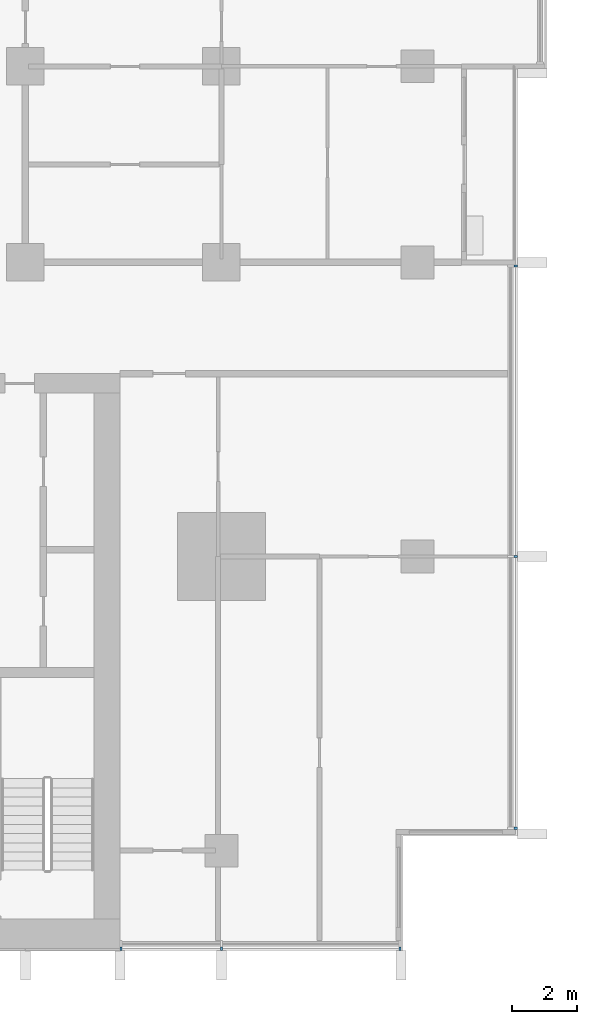
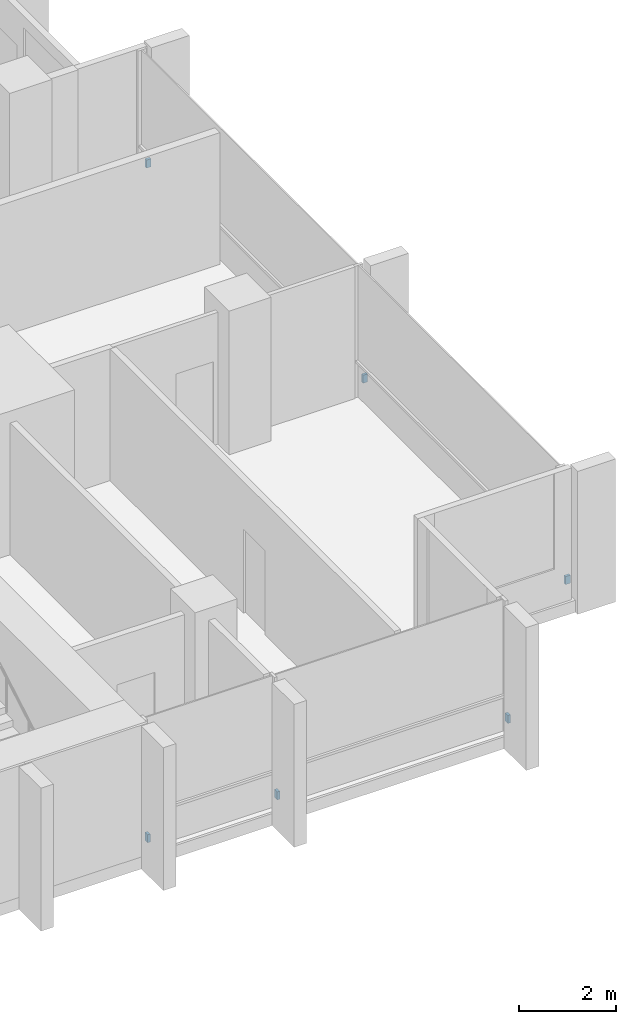
# One storey, part 15 of 18: 6 discrete accessories.
"""IFC4 building model written with IfcOpenShell, lengths in metres."""

from ifc_helpers import new_model, si_unit, direction, frame, origin, origin_2d, place, context, subcontext, project, spatial, rectangle, extrude, material, type_object, element, save


model = new_model("IFC4")

# Units and contexts
model_context = context("Model", 3, precision=1e-05, world=origin(), true_north=direction((0.0, 1.0)))
body_context = subcontext(model_context, "Body", "Model", "MODEL_VIEW")
ifc_project = project(units=[si_unit("LENGTHUNIT", "METRE"), si_unit("AREAUNIT", "SQUARE_METRE"), si_unit("VOLUMEUNIT", "CUBIC_METRE"), si_unit("PLANEANGLEUNIT", "RADIAN"), si_unit("MASSUNIT", "GRAM", prefix="KILO")], contexts=[model_context])

# Site, building, storey
site_placement = place(None, origin())
site = spatial("IfcSite", under=ifc_project, at=site_placement, CompositionType="ELEMENT")
building_placement = place(site_placement, origin())
building = spatial("IfcBuilding", under=site, at=building_placement, Name="Finial Court Residences", CompositionType="ELEMENT")
storey_placement = place(building_placement, frame((0.0, 0.0, 106.300048828125)))
storey = spatial("IfcBuildingStorey", under=building, at=storey_placement, Name="L26", CompositionType="ELEMENT", Elevation=106.300048828125)

# Discrete accessories
ifc_material = material(Name="Stainless steel 316", Category="steel")
discrete_accessory_type = type_object("IfcDiscreteAccessoryType", Name="Fin bracket, stainless steel 65 x 110 x 200", PredefinedType="BRACKET", material=ifc_material)
for number, where, z_axis, x_axis, name in (
    (1, (25.5048828125, -21.8173828125, 0.2998046875), (0.0, 0.0, 1.0), (1.0, 0.0, 0.0), "E-L26-FIN-E9-BRK"),
    (2, (25.5048828125, -13.5, 0.2998046875), (0.0, 0.0, 1.0), (1.0, 0.0, 0.0), "E-L26-FIN-E10-BRK"),
    (3, (25.5048828125, -4.607421875, 0.2998046875), (0.0, 0.0, 1.0), (1.0, 0.0, 0.0), "E-L26-FIN-E11-BRK"),
):
    element("IfcDiscreteAccessory", number, at=place(storey_placement, frame(where, z_axis=z_axis, x_axis=x_axis)), inside=storey, type_object=discrete_accessory_type, Name=name, PredefinedType="BRACKET", context=body_context, shape_type="SweptSolid", body=[
        extrude(rectangle(XDim=0.110107421875, YDim=0.06494140625, at=origin_2d()), origin(), (0.0, 0.0, 1.0), 0.199951171875),
    ])
for number, where, z_axis, x_axis, name in (
    (4, (13.4326171875, -25.5048828125, 0.2998046875), (0.0, 0.0, 1.0), (1.0, 0.0, 0.0), "E-L26-FIN-S23-BRK"),
    (5, (16.5, -25.5048828125, 0.2998046875), (0.0, 0.0, 1.0), (1.0, 0.0, 0.0), "E-L26-FIN-S24-BRK"),
    (6, (21.967529296875, -25.5048828125, 0.2998046875), (0.0, 0.0, 1.0), (1.0, 0.0, 0.0), "E-L26-FIN-S25-BRK"),
):
    element("IfcDiscreteAccessory", number, at=place(storey_placement, frame(where, z_axis=z_axis, x_axis=x_axis)), inside=storey, type_object=discrete_accessory_type, Name=name, PredefinedType="BRACKET", context=body_context, shape_type="SweptSolid", body=[
        extrude(rectangle(XDim=0.06494140625, YDim=0.110107421875, at=origin_2d()), origin(), (0.0, 0.0, 1.0), 0.199951171875),
    ])

save(model, "model.ifc")
